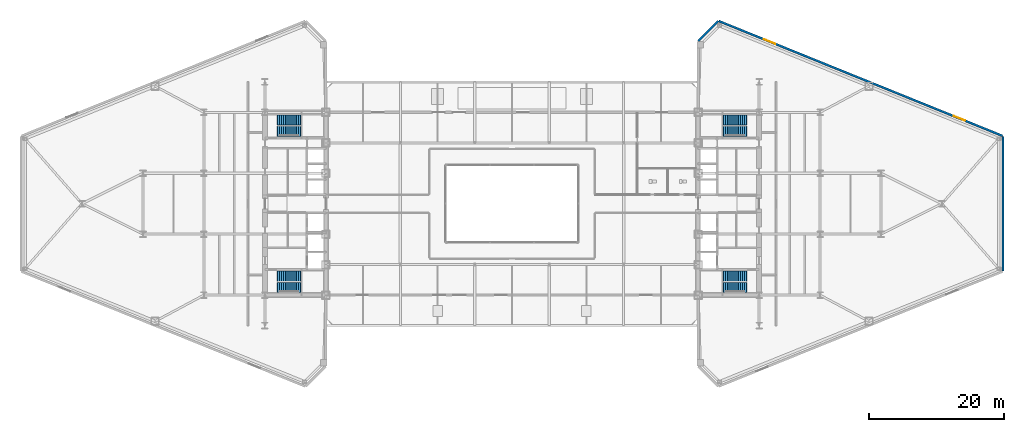
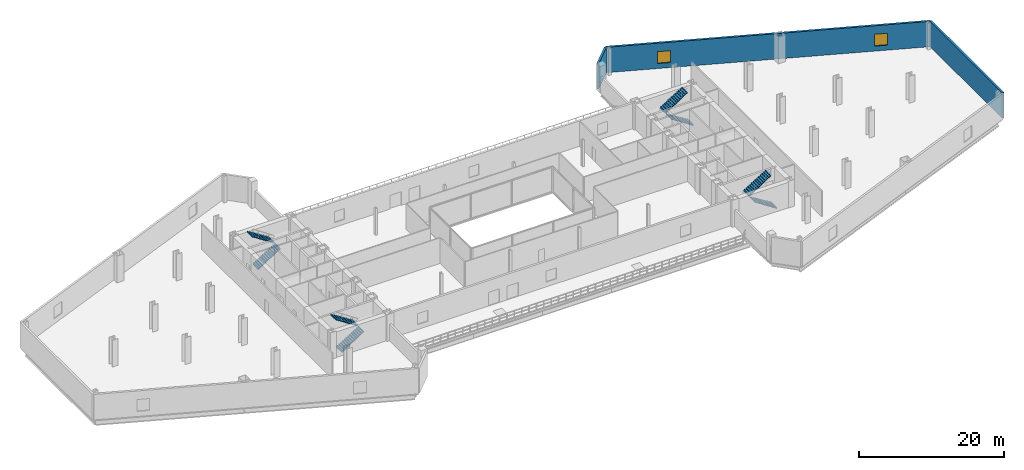
# One storey, part 20 of 23: 8 stair flights, 3 walls, 2 windows, 2 openings, 4 elements without a shape of their own.
"""IFC4 building model written with IfcOpenShell, lengths in metres."""

from ifc_helpers import new_model, si_unit, direction, frame, frame_2d, origin, place, context, subcontext, project, spatial, polyline, rectangle, outline, extrude, source, transform, mapped, material, layer, layer_set, type_object, type_shapes, element, fill, aggregate, save


model = new_model("IFC4")

# Units and contexts
model_context = context("Model", 3, precision=1e-05, world=origin(), true_north=direction((0.0, 1.0)))
body_context = subcontext(model_context, "Body", "Model", "MODEL_VIEW")
ifc_project = project(units=[si_unit("LENGTHUNIT", "METRE"), si_unit("AREAUNIT", "SQUARE_METRE"), si_unit("VOLUMEUNIT", "CUBIC_METRE"), si_unit("PLANEANGLEUNIT", "RADIAN"), si_unit("MASSUNIT", "GRAM", prefix="KILO")], contexts=[model_context])

# Site, building, storey
site_placement = place(None, origin())
site = spatial("IfcSite", under=ifc_project, at=site_placement, CompositionType="ELEMENT")
building_placement = place(site_placement, origin())
building = spatial("IfcBuilding", under=site, at=building_placement, Name="Seokmaru Belvedere", CompositionType="ELEMENT")
storey_placement = place(building_placement, frame((0.0, 0.0, 14.39990234375)))
storey = spatial("IfcBuildingStorey", under=building, at=storey_placement, Name="L03", CompositionType="ELEMENT", Elevation=14.39990234375)

# Wall
ifc_material_1 = material(Name="Concrete C40 (40 MPa)", Category="concrete")
ifc_layer = layer(ifc_material_1, 0.320068359375)
ifc_layer_set = layer_set([ifc_layer], Name="Concrete C40 (40 MPa)")
wall_type = type_object("IfcWallType", Name="Podium Terrace Insulated Wall 320", PredefinedType="SOLIDWALL", material=ifc_layer_set)
wall_1_placement = place(storey_placement, frame((72.5, -9.9599609375, 0.0), z_axis=(0.0, 0.0, 1.0), x_axis=(0.0, 1.0, 0.0)))
element("IfcWall", 1, at=wall_1_placement, inside=storey, type_object=wall_type, Name="L03 Exterior Podium Wall 08", PredefinedType="SOLIDWALL", context=body_context, shape_type="SweptSolid", body=[
    extrude(rectangle(XDim=19.919921875, YDim=0.320068359375, at=frame_2d((9.9599609375, 0.0))), origin(), (0.0, 0.0, 1.0), 4.280029296875),
])

# Wall, openings, windows
wall_2_placement = place(storey_placement, frame((72.462890625, 10.014892578125, 0.0), z_axis=(0.0, 0.0, 1.0), x_axis=(-0.926944846568, 0.375197616492, 0.0)))
wall_2 = element("IfcWall", 2, at=wall_2_placement, inside=storey, type_object=wall_type, Name="L03 Exterior Podium Wall 09", PredefinedType="SOLIDWALL", context=body_context, shape_type="SweptSolid", body=[
    extrude(rectangle(XDim=45.22998046875, YDim=0.320068359375, at=frame_2d((22.614990234375, 0.0))), origin(), (0.0, 0.0, 1.0), 4.280029296875),
])
opening_1_placement = place(wall_2_placement, frame((6.0, 0.0, 0.85009765625)))
opening_1 = element("IfcOpeningElement", 3, at=opening_1_placement, cuts=wall_2, Name="Opening WN2", PredefinedType="OPENING", context=body_context, shape_type="SweptSolid", body=[
    extrude(rectangle(XDim=1.800048828125, YDim=2.0, at=frame_2d((0.89990234375, 1.0))), frame((0.0, 0.169921875, 0.0), z_axis=(0.0, -1.0, 0.0), x_axis=(1.0, 0.0, 0.0)), (0.0, 0.0, 1.0), 0.340087890625),
])
opening_2_placement = place(wall_2_placement, frame((36.22998046875, 0.0, 0.85009765625)))
opening_2 = element("IfcOpeningElement", 4, at=opening_2_placement, cuts=wall_2, Name="Opening WN2", PredefinedType="OPENING", context=body_context, shape_type="SweptSolid", body=[
    extrude(rectangle(XDim=1.800048828125, YDim=2.0, at=frame_2d((0.89990234375, 1.0))), frame((0.0, 0.169921875, 0.0), z_axis=(0.0, -1.0, 0.0), x_axis=(1.0, 0.0, 0.0)), (0.0, 0.0, 1.0), 0.340087890625),
])
ifc_material_2 = material(Name="Bronze Triple Insulating Glass", Category="glass")
window_type = type_object("IfcWindowType", Name="Podium Gallery Window 1800x2000", PartitioningType="SINGLE_PANEL", PredefinedType="WINDOW", material=ifc_material_2)
shared_shape = source(origin(), body_context, "Body", "SweptSolid", [
    extrude(rectangle(XDim=1.800048828125, YDim=2.0, at=frame_2d((0.89990234375, 1.0))), frame((0.0, 0.030029296875, 0.0), z_axis=(0.0, -1.0, 0.0), x_axis=(1.0, 0.0, 0.0)), (0.0, 0.0, 1.0), 0.06005859375),
])
type_shapes(window_type, [shared_shape])
window_1_placement = place(opening_1_placement, origin())
window_1 = element("IfcWindow", 5, at=window_1_placement, inside=storey, type_object=window_type, Name="L03 Podium Gallery Window 8-1", OverallHeight=2.0, OverallWidth=1.800048828125, PartitioningType="SINGLE_PANEL", PredefinedType="WINDOW", context=body_context, shape_type="MappedRepresentation", body=[
    mapped(shared_shape, transform((0.0, 0.0, 0.0), scale=1.0)),
])
fill(opening_1, window_1)
window_2_placement = place(opening_2_placement, origin())
window_2 = element("IfcWindow", 6, at=window_2_placement, inside=storey, type_object=window_type, Name="L03 Podium Gallery Window 8-2", OverallHeight=2.0, OverallWidth=1.800048828125, PartitioningType="SINGLE_PANEL", PredefinedType="WINDOW", context=body_context, shape_type="MappedRepresentation", body=[
    mapped(shared_shape, transform((0.0, 0.0, 0.0), scale=1.0)),
])
fill(opening_2, window_2)

# Wall
wall_3_placement = place(storey_placement, frame((30.4716796875, 26.9716796875, 0.0), z_axis=(0.0, 0.0, 1.0), x_axis=(-0.707106781187, -0.707106781187, 0.0)))
element("IfcWall", 7, at=wall_3_placement, inside=storey, type_object=wall_type, Name="L03 Exterior Podium Wall 10", PredefinedType="SOLIDWALL", context=body_context, shape_type="SweptSolid", body=[
    extrude(rectangle(XDim=4.16259765625, YDim=0.320068359375, at=frame_2d((2.081298828125, 0.0))), origin(), (0.0, 0.0, 1.0), 4.280029296875),
])

# Stair, stair flights
stair_type = type_object("IfcStairType", Name="Cascading Podium Core Dog-Leg Stair 4500", PredefinedType="TWO_STRAIGHT_RUN_STAIR", material=ifc_material_1)
stair_1_placement = place(storey_placement, origin())
stair_1 = element("IfcStair", 8, at=stair_1_placement, inside=storey, type_object=stair_type, Name="L03 Special Escape Stair ST-W1", PredefinedType="TWO_STRAIGHT_RUN_STAIR")
stair_flight_type = type_object("IfcStairFlightType", Name="Reinforced Concrete Stair Flight 1500", PredefinedType="STRAIGHT", material=ifc_material_1)
stair_flight_1_placement = place(storey_placement, frame((-34.60009765625, -12.35009765625, 0.0), z_axis=(0.0, 0.0, 1.0), x_axis=(1.0, 0.0, 0.0)))
stair_flight_1 = element("IfcStairFlight", 9, at=stair_flight_1_placement, type_object=stair_flight_type, Name="ST-W1 flight 1", NumberOfRisers=13, NumberOfTreads=12, PredefinedType="STRAIGHT", RiserHeight=0.173076923, TreadLength=0.28, context=body_context, shape_type="SweptSolid", body=[
    extrude(outline(polyline([(-0.080078125, 0.0), (0.0, 0.173095703125), (0.280029296875, 0.173095703125), (0.280029296875, 0.34619140625), (0.56005859375, 0.34619140625), (0.56005859375, 0.519287109375), (0.840087890625, 0.519287109375), (0.840087890625, 0.6923828125), (1.1201171875, 0.6923828125), (1.1201171875, 0.865478515625), (1.39990234375, 0.865478515625), (1.39990234375, 1.03857421875), (1.679931640625, 1.03857421875), (1.679931640625, 1.21142578125), (1.9599609375, 1.21142578125), (1.9599609375, 1.384521484375), (2.239990234375, 1.384521484375), (2.239990234375, 1.5576171875), (2.52001953125, 1.5576171875), (2.52001953125, 1.730712890625), (2.800048828125, 1.730712890625), (2.800048828125, 1.90380859375), (3.080078125, 1.90380859375), (3.080078125, 2.076904296875), (3.360107421875, 2.076904296875), (3.360107421875, 2.25), (3.43994140625, 2.25), (3.43994140625, 2.06005859375), (3.360107421875, 2.06005859375), (0.0, -0.159912109375), (-0.080078125, -0.159912109375), (-0.080078125, 0.0)])), frame((0.0, 0.75, 0.0), z_axis=(0.0, -1.0, 0.0), x_axis=(1.0, 0.0, 0.0)), (0.0, 0.0, 1.0), 1.5),
])
stair_flight_2_placement = place(storey_placement, frame((-31.239990234375, -10.7099609375, 2.25), z_axis=(0.0, 0.0, 1.0), x_axis=(-1.0, 0.0, 0.0)))
stair_flight_2 = element("IfcStairFlight", 10, at=stair_flight_2_placement, type_object=stair_flight_type, Name="ST-W1 flight 2", NumberOfRisers=13, NumberOfTreads=12, PredefinedType="STRAIGHT", RiserHeight=0.173076923, TreadLength=0.28, context=body_context, shape_type="SweptSolid", body=[
    extrude(outline(polyline([(-0.080078125, 0.0), (0.0, 0.173095703125), (0.280029296875, 0.173095703125), (0.280029296875, 0.34619140625), (0.56005859375, 0.34619140625), (0.56005859375, 0.519287109375), (0.840087890625, 0.519287109375), (0.840087890625, 0.6923828125), (1.1201171875, 0.6923828125), (1.1201171875, 0.865478515625), (1.39990234375, 0.865478515625), (1.39990234375, 1.03857421875), (1.679931640625, 1.03857421875), (1.679931640625, 1.21142578125), (1.9599609375, 1.21142578125), (1.9599609375, 1.384521484375), (2.239990234375, 1.384521484375), (2.239990234375, 1.5576171875), (2.52001953125, 1.5576171875), (2.52001953125, 1.730712890625), (2.800048828125, 1.730712890625), (2.800048828125, 1.90380859375), (3.080078125, 1.90380859375), (3.080078125, 2.076904296875), (3.360107421875, 2.076904296875), (3.360107421875, 2.25), (3.43994140625, 2.25), (3.43994140625, 2.06005859375), (3.360107421875, 2.06005859375), (0.0, -0.159912109375), (-0.080078125, -0.159912109375), (-0.080078125, 0.0)])), frame((0.0, 0.75, 0.0), z_axis=(0.0, -1.0, 0.0), x_axis=(1.0, 0.0, 0.0)), (0.0, 0.0, 1.0), 1.5),
])
aggregate(stair_1, [stair_flight_1, stair_flight_2])

stair_2_placement = place(storey_placement, origin())
stair_2 = element("IfcStair", 11, at=stair_2_placement, inside=storey, type_object=stair_type, Name="L03 Special Escape Stair ST-W2", PredefinedType="TWO_STRAIGHT_RUN_STAIR")
stair_flight_3_placement = place(storey_placement, frame((-34.60009765625, 10.7099609375, 0.0), z_axis=(0.0, 0.0, 1.0), x_axis=(1.0, 0.0, 0.0)))
stair_flight_3 = element("IfcStairFlight", 12, at=stair_flight_3_placement, type_object=stair_flight_type, Name="ST-W2 flight 1", NumberOfRisers=13, NumberOfTreads=12, PredefinedType="STRAIGHT", RiserHeight=0.173076923, TreadLength=0.28, context=body_context, shape_type="SweptSolid", body=[
    extrude(outline(polyline([(-0.080078125, 0.0), (0.0, 0.173095703125), (0.280029296875, 0.173095703125), (0.280029296875, 0.34619140625), (0.56005859375, 0.34619140625), (0.56005859375, 0.519287109375), (0.840087890625, 0.519287109375), (0.840087890625, 0.6923828125), (1.1201171875, 0.6923828125), (1.1201171875, 0.865478515625), (1.39990234375, 0.865478515625), (1.39990234375, 1.03857421875), (1.679931640625, 1.03857421875), (1.679931640625, 1.21142578125), (1.9599609375, 1.21142578125), (1.9599609375, 1.384521484375), (2.239990234375, 1.384521484375), (2.239990234375, 1.5576171875), (2.52001953125, 1.5576171875), (2.52001953125, 1.730712890625), (2.800048828125, 1.730712890625), (2.800048828125, 1.90380859375), (3.080078125, 1.90380859375), (3.080078125, 2.076904296875), (3.360107421875, 2.076904296875), (3.360107421875, 2.25), (3.43994140625, 2.25), (3.43994140625, 2.06005859375), (3.360107421875, 2.06005859375), (0.0, -0.159912109375), (-0.080078125, -0.159912109375), (-0.080078125, 0.0)])), frame((0.0, 0.75, 0.0), z_axis=(0.0, -1.0, 0.0), x_axis=(1.0, 0.0, 0.0)), (0.0, 0.0, 1.0), 1.5),
])
stair_flight_4_placement = place(storey_placement, frame((-31.239990234375, 12.35009765625, 2.25), z_axis=(0.0, 0.0, 1.0), x_axis=(-1.0, 0.0, 0.0)))
stair_flight_4 = element("IfcStairFlight", 13, at=stair_flight_4_placement, type_object=stair_flight_type, Name="ST-W2 flight 2", NumberOfRisers=13, NumberOfTreads=12, PredefinedType="STRAIGHT", RiserHeight=0.173076923, TreadLength=0.28, context=body_context, shape_type="SweptSolid", body=[
    extrude(outline(polyline([(-0.080078125, 0.0), (0.0, 0.173095703125), (0.280029296875, 0.173095703125), (0.280029296875, 0.34619140625), (0.56005859375, 0.34619140625), (0.56005859375, 0.519287109375), (0.840087890625, 0.519287109375), (0.840087890625, 0.6923828125), (1.1201171875, 0.6923828125), (1.1201171875, 0.865478515625), (1.39990234375, 0.865478515625), (1.39990234375, 1.03857421875), (1.679931640625, 1.03857421875), (1.679931640625, 1.21142578125), (1.9599609375, 1.21142578125), (1.9599609375, 1.384521484375), (2.239990234375, 1.384521484375), (2.239990234375, 1.5576171875), (2.52001953125, 1.5576171875), (2.52001953125, 1.730712890625), (2.800048828125, 1.730712890625), (2.800048828125, 1.90380859375), (3.080078125, 1.90380859375), (3.080078125, 2.076904296875), (3.360107421875, 2.076904296875), (3.360107421875, 2.25), (3.43994140625, 2.25), (3.43994140625, 2.06005859375), (3.360107421875, 2.06005859375), (0.0, -0.159912109375), (-0.080078125, -0.159912109375), (-0.080078125, 0.0)])), frame((0.0, 0.75, 0.0), z_axis=(0.0, -1.0, 0.0), x_axis=(1.0, 0.0, 0.0)), (0.0, 0.0, 1.0), 1.5),
])
aggregate(stair_2, [stair_flight_3, stair_flight_4])

stair_3_placement = place(storey_placement, origin())
stair_3 = element("IfcStair", 14, at=stair_3_placement, inside=storey, type_object=stair_type, Name="L03 Special Escape Stair ST-E1", PredefinedType="TWO_STRAIGHT_RUN_STAIR")
stair_flight_5_placement = place(storey_placement, frame((34.60009765625, -12.35009765625, 0.0), z_axis=(0.0, 0.0, 1.0), x_axis=(-1.0, 0.0, 0.0)))
stair_flight_5 = element("IfcStairFlight", 15, at=stair_flight_5_placement, type_object=stair_flight_type, Name="ST-E1 flight 1", NumberOfRisers=13, NumberOfTreads=12, PredefinedType="STRAIGHT", RiserHeight=0.173076923, TreadLength=0.28, context=body_context, shape_type="SweptSolid", body=[
    extrude(outline(polyline([(-0.080078125, 0.0), (0.0, 0.173095703125), (0.280029296875, 0.173095703125), (0.280029296875, 0.34619140625), (0.56005859375, 0.34619140625), (0.56005859375, 0.519287109375), (0.840087890625, 0.519287109375), (0.840087890625, 0.6923828125), (1.1201171875, 0.6923828125), (1.1201171875, 0.865478515625), (1.39990234375, 0.865478515625), (1.39990234375, 1.03857421875), (1.679931640625, 1.03857421875), (1.679931640625, 1.21142578125), (1.9599609375, 1.21142578125), (1.9599609375, 1.384521484375), (2.239990234375, 1.384521484375), (2.239990234375, 1.5576171875), (2.52001953125, 1.5576171875), (2.52001953125, 1.730712890625), (2.800048828125, 1.730712890625), (2.800048828125, 1.90380859375), (3.080078125, 1.90380859375), (3.080078125, 2.076904296875), (3.360107421875, 2.076904296875), (3.360107421875, 2.25), (3.43994140625, 2.25), (3.43994140625, 2.06005859375), (3.360107421875, 2.06005859375), (0.0, -0.159912109375), (-0.080078125, -0.159912109375), (-0.080078125, 0.0)])), frame((0.0, 0.75, 0.0), z_axis=(0.0, -1.0, 0.0), x_axis=(1.0, 0.0, 0.0)), (0.0, 0.0, 1.0), 1.5),
])
stair_flight_6_placement = place(storey_placement, frame((31.239990234375, -10.7099609375, 2.25), z_axis=(0.0, 0.0, 1.0), x_axis=(1.0, 0.0, 0.0)))
stair_flight_6 = element("IfcStairFlight", 16, at=stair_flight_6_placement, type_object=stair_flight_type, Name="ST-E1 flight 2", NumberOfRisers=13, NumberOfTreads=12, PredefinedType="STRAIGHT", RiserHeight=0.173076923, TreadLength=0.28, context=body_context, shape_type="SweptSolid", body=[
    extrude(outline(polyline([(-0.080078125, 0.0), (0.0, 0.173095703125), (0.280029296875, 0.173095703125), (0.280029296875, 0.34619140625), (0.56005859375, 0.34619140625), (0.56005859375, 0.519287109375), (0.840087890625, 0.519287109375), (0.840087890625, 0.6923828125), (1.1201171875, 0.6923828125), (1.1201171875, 0.865478515625), (1.39990234375, 0.865478515625), (1.39990234375, 1.03857421875), (1.679931640625, 1.03857421875), (1.679931640625, 1.21142578125), (1.9599609375, 1.21142578125), (1.9599609375, 1.384521484375), (2.239990234375, 1.384521484375), (2.239990234375, 1.5576171875), (2.52001953125, 1.5576171875), (2.52001953125, 1.730712890625), (2.800048828125, 1.730712890625), (2.800048828125, 1.90380859375), (3.080078125, 1.90380859375), (3.080078125, 2.076904296875), (3.360107421875, 2.076904296875), (3.360107421875, 2.25), (3.43994140625, 2.25), (3.43994140625, 2.06005859375), (3.360107421875, 2.06005859375), (0.0, -0.159912109375), (-0.080078125, -0.159912109375), (-0.080078125, 0.0)])), frame((0.0, 0.75, 0.0), z_axis=(0.0, -1.0, 0.0), x_axis=(1.0, 0.0, 0.0)), (0.0, 0.0, 1.0), 1.5),
])
aggregate(stair_3, [stair_flight_5, stair_flight_6])

stair_4_placement = place(storey_placement, origin())
stair_4 = element("IfcStair", 17, at=stair_4_placement, inside=storey, type_object=stair_type, Name="L03 Special Escape Stair ST-E2", PredefinedType="TWO_STRAIGHT_RUN_STAIR")
stair_flight_7_placement = place(storey_placement, frame((34.60009765625, 10.7099609375, 0.0), z_axis=(0.0, 0.0, 1.0), x_axis=(-1.0, 0.0, 0.0)))
stair_flight_7 = element("IfcStairFlight", 18, at=stair_flight_7_placement, type_object=stair_flight_type, Name="ST-E2 flight 1", NumberOfRisers=13, NumberOfTreads=12, PredefinedType="STRAIGHT", RiserHeight=0.173076923, TreadLength=0.28, context=body_context, shape_type="SweptSolid", body=[
    extrude(outline(polyline([(-0.080078125, 0.0), (0.0, 0.173095703125), (0.280029296875, 0.173095703125), (0.280029296875, 0.34619140625), (0.56005859375, 0.34619140625), (0.56005859375, 0.519287109375), (0.840087890625, 0.519287109375), (0.840087890625, 0.6923828125), (1.1201171875, 0.6923828125), (1.1201171875, 0.865478515625), (1.39990234375, 0.865478515625), (1.39990234375, 1.03857421875), (1.679931640625, 1.03857421875), (1.679931640625, 1.21142578125), (1.9599609375, 1.21142578125), (1.9599609375, 1.384521484375), (2.239990234375, 1.384521484375), (2.239990234375, 1.5576171875), (2.52001953125, 1.5576171875), (2.52001953125, 1.730712890625), (2.800048828125, 1.730712890625), (2.800048828125, 1.90380859375), (3.080078125, 1.90380859375), (3.080078125, 2.076904296875), (3.360107421875, 2.076904296875), (3.360107421875, 2.25), (3.43994140625, 2.25), (3.43994140625, 2.06005859375), (3.360107421875, 2.06005859375), (0.0, -0.159912109375), (-0.080078125, -0.159912109375), (-0.080078125, 0.0)])), frame((0.0, 0.75, 0.0), z_axis=(0.0, -1.0, 0.0), x_axis=(1.0, 0.0, 0.0)), (0.0, 0.0, 1.0), 1.5),
])
stair_flight_8_placement = place(storey_placement, frame((31.239990234375, 12.35009765625, 2.25), z_axis=(0.0, 0.0, 1.0), x_axis=(1.0, 0.0, 0.0)))
stair_flight_8 = element("IfcStairFlight", 19, at=stair_flight_8_placement, type_object=stair_flight_type, Name="ST-E2 flight 2", NumberOfRisers=13, NumberOfTreads=12, PredefinedType="STRAIGHT", RiserHeight=0.173076923, TreadLength=0.28, context=body_context, shape_type="SweptSolid", body=[
    extrude(outline(polyline([(-0.080078125, 0.0), (0.0, 0.173095703125), (0.280029296875, 0.173095703125), (0.280029296875, 0.34619140625), (0.56005859375, 0.34619140625), (0.56005859375, 0.519287109375), (0.840087890625, 0.519287109375), (0.840087890625, 0.6923828125), (1.1201171875, 0.6923828125), (1.1201171875, 0.865478515625), (1.39990234375, 0.865478515625), (1.39990234375, 1.03857421875), (1.679931640625, 1.03857421875), (1.679931640625, 1.21142578125), (1.9599609375, 1.21142578125), (1.9599609375, 1.384521484375), (2.239990234375, 1.384521484375), (2.239990234375, 1.5576171875), (2.52001953125, 1.5576171875), (2.52001953125, 1.730712890625), (2.800048828125, 1.730712890625), (2.800048828125, 1.90380859375), (3.080078125, 1.90380859375), (3.080078125, 2.076904296875), (3.360107421875, 2.076904296875), (3.360107421875, 2.25), (3.43994140625, 2.25), (3.43994140625, 2.06005859375), (3.360107421875, 2.06005859375), (0.0, -0.159912109375), (-0.080078125, -0.159912109375), (-0.080078125, 0.0)])), frame((0.0, 0.75, 0.0), z_axis=(0.0, -1.0, 0.0), x_axis=(1.0, 0.0, 0.0)), (0.0, 0.0, 1.0), 1.5),
])
aggregate(stair_4, [stair_flight_7, stair_flight_8])

save(model, "model.ifc")
